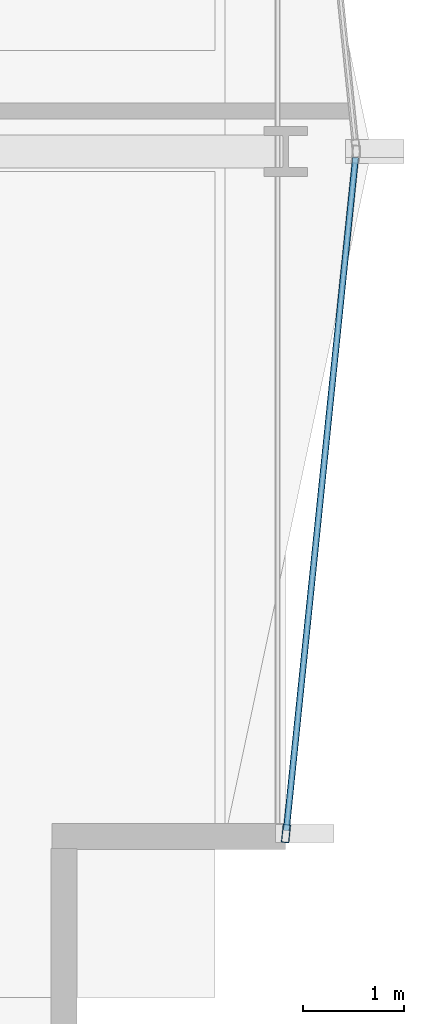
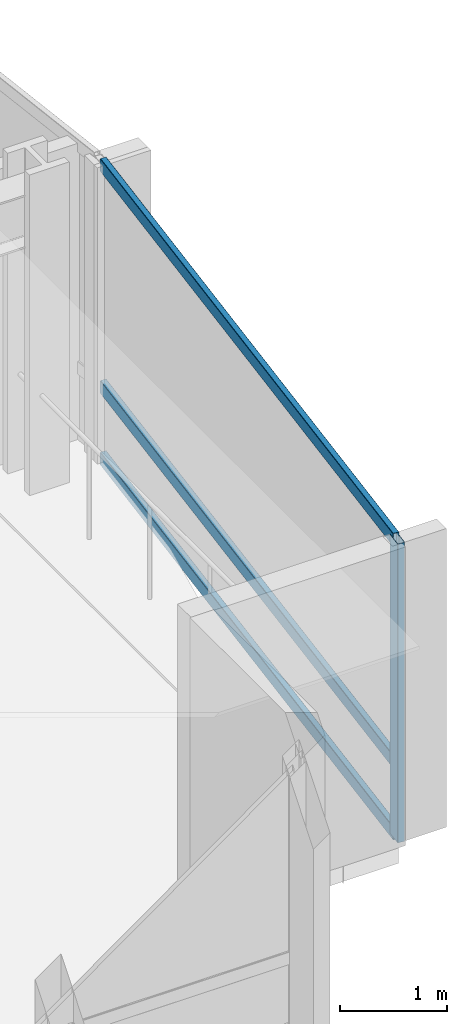
# One storey, part 13 of 34: 4 members, 1 element without a shape of its own.
"""IFC4 building model written with IfcOpenShell, lengths in metres."""

from ifc_helpers import new_model, si_unit, direction, frame, origin, origin_2d, place, context, subcontext, project, spatial, hollow_rectangle, extrude, material, layer, layer_set, material_profile, profile_set, type_object, element, aggregate, save


model = new_model("IFC4")

# Units and contexts
model_context = context("Model", 3, precision=1e-05, world=origin(), true_north=direction((0.0, 1.0)))
body_context = subcontext(model_context, "Body", "Model", "MODEL_VIEW")
ifc_project = project(units=[si_unit("LENGTHUNIT", "METRE"), si_unit("AREAUNIT", "SQUARE_METRE"), si_unit("VOLUMEUNIT", "CUBIC_METRE"), si_unit("PLANEANGLEUNIT", "RADIAN"), si_unit("MASSUNIT", "GRAM", prefix="KILO")], contexts=[model_context])

# Site, building, storey
site_placement = place(None, origin())
site = spatial("IfcSite", under=ifc_project, at=site_placement, CompositionType="ELEMENT")
building_placement = place(site_placement, origin())
building = spatial("IfcBuilding", under=site, at=building_placement, Name="Solvaryn Broadcast Tower", CompositionType="ELEMENT")
storey_placement = place(building_placement, frame((0.0, 0.0, 65.60009765625)))
storey = spatial("IfcBuildingStorey", under=building, at=storey_placement, Name="L15", CompositionType="ELEMENT", Elevation=65.60009765625)

# Curtain wall, members
ifc_material_1 = material(Name="Aluminium and Terracotta Unitised Curtain Wall", Category="masonry")
ifc_layer = layer(ifc_material_1, 0.199951171875)
ifc_layer_set = layer_set([ifc_layer], Name="CW-SYS2-LOWMID")
curtain_wall_type = type_object("IfcCurtainWallType", Name="CW-SYS2-LOWMID", PredefinedType="NOTDEFINED", material=ifc_layer_set)
curtain_wall_placement = place(storey_placement, origin())
curtain_wall = element("IfcCurtainWall", 1, at=curtain_wall_placement, inside=storey, type_object=curtain_wall_type, Name="L15 Curtain Wall ET2", PredefinedType="NOTDEFINED")
ifc_material_2 = material(Name="Anodised Aluminium 6063-T6", Category="aluminium")
ifc_material_profile_1 = material_profile(ifc_material_2, hollow_rectangle(XDim=0.074951171875, YDim=0.179931640625, WallThickness=0.00390625, InnerFilletRadius=0.00390625, OuterFilletRadius=0.008056640625, at=origin_2d()))
ifc_profile_set_1 = profile_set([ifc_material_profile_1], Name="Anodised Aluminium 6063-T6")
member_type_1 = type_object("IfcMemberType", Name="CW-MUL-180", PredefinedType="MULLION", material=ifc_profile_set_1)
member_1_placement = place(storey_placement, frame((63.003173828125, 11.229736328125, 0.0), z_axis=(0.0, 0.0, 1.0), x_axis=(0.99474329889, -0.10240004548, 0.0)))
member_1 = element("IfcMember", 2, at=member_1_placement, type_object=member_type_1, Name="CWS2 mullion 2", PredefinedType="MULLION", context=body_context, shape_type="SweptSolid", body=[
    extrude(hollow_rectangle(XDim=0.074951171875, YDim=0.179931640625, WallThickness=0.00390625, InnerFilletRadius=0.00390625, OuterFilletRadius=0.008056640625, at=origin_2d()), origin(), (0.0, 0.0, 1.0), 3.419921875),
])
ifc_material_3 = material(Name="Anodised Aluminium 6063-T6", Category="aluminium")
ifc_material_profile_2 = material_profile(ifc_material_3, hollow_rectangle(XDim=0.06494140625, YDim=0.14990234375, WallThickness=0.00390625, InnerFilletRadius=0.00390625, OuterFilletRadius=0.008056640625, at=origin_2d()))
ifc_profile_set_2 = profile_set([ifc_material_profile_2], Name="Anodised Aluminium 6063-T6")
member_type_2 = type_object("IfcMemberType", Name="CW-TRN-150", PredefinedType="USERDEFINED", material=ifc_profile_set_2)
member_2_placement = place(storey_placement, frame((63.69384765625, 17.9404296875, 0.02978515625), z_axis=(-0.102404277363, -0.994742863245, 0.0), x_axis=(0.994742863245, -0.102404277363, 0.0)))
member_2 = element("IfcMember", 3, at=member_2_placement, type_object=member_type_2, Name="CWS2 transom 1.1", ObjectType="TRANSOM", PredefinedType="USERDEFINED", context=body_context, shape_type="SweptSolid", body=[
    extrude(hollow_rectangle(XDim=0.06494140625, YDim=0.14990234375, WallThickness=0.00390625, InnerFilletRadius=0.00390625, OuterFilletRadius=0.008056640625, at=origin_2d()), origin(), (0.0, 0.0, 1.0), 6.716064453125),
])
member_3_placement = place(storey_placement, frame((63.69384765625, 17.9404296875, 0.849853515625), z_axis=(-0.102404277363, -0.994742863245, 0.0), x_axis=(0.994742863245, -0.102404277363, 0.0)))
member_3 = element("IfcMember", 4, at=member_3_placement, type_object=member_type_2, Name="CWS2 transom 1.2", ObjectType="TRANSOM", PredefinedType="USERDEFINED", context=body_context, shape_type="SweptSolid", body=[
    extrude(hollow_rectangle(XDim=0.06494140625, YDim=0.14990234375, WallThickness=0.00390625, InnerFilletRadius=0.00390625, OuterFilletRadius=0.008056640625, at=origin_2d()), origin(), (0.0, 0.0, 1.0), 6.716064453125),
])
member_4_placement = place(storey_placement, frame((63.69384765625, 17.9404296875, 3.389892578125), z_axis=(-0.102404277363, -0.994742863245, 0.0), x_axis=(0.994742863245, -0.102404277363, 0.0)))
member_4 = element("IfcMember", 5, at=member_4_placement, type_object=member_type_2, Name="CWS2 transom 1.3", ObjectType="TRANSOM", PredefinedType="USERDEFINED", context=body_context, shape_type="SweptSolid", body=[
    extrude(hollow_rectangle(XDim=0.06494140625, YDim=0.14990234375, WallThickness=0.00390625, InnerFilletRadius=0.00390625, OuterFilletRadius=0.008056640625, at=origin_2d()), origin(), (0.0, 0.0, 1.0), 6.716064453125),
])
aggregate(curtain_wall, [member_1, member_2, member_3, member_4])

save(model, "model.ifc")
